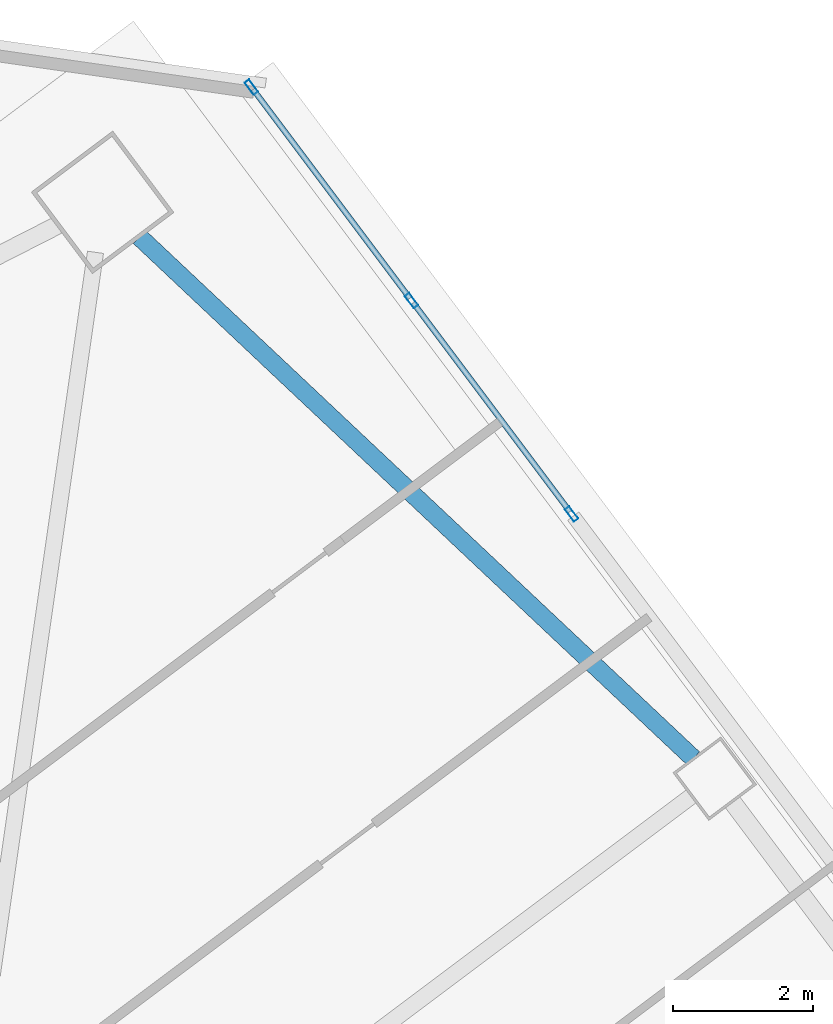
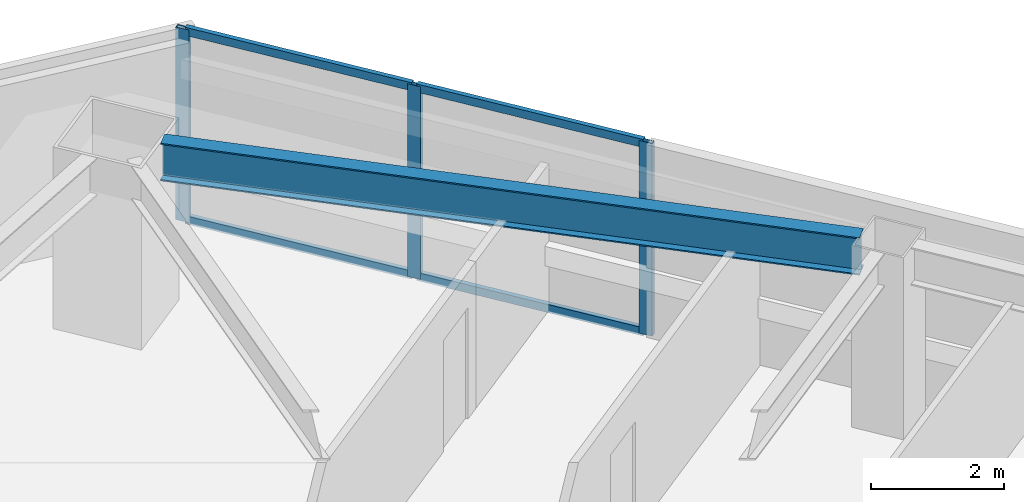
# One storey, part 30 of 44: 7 members, 1 beam, 1 element without a shape of its own.
"""IFC4 building model written with IfcOpenShell, lengths in metres."""

from ifc_helpers import new_model, si_unit, direction, frame, origin, origin_2d, place, context, subcontext, project, spatial, hollow_rectangle, i_section, extrude, material, material_profile, profile_set, type_object, element, aggregate, save


model = new_model("IFC4")

# Units and contexts
model_context = context("Model", 3, precision=1e-05, world=origin(), true_north=direction((0.0, 1.0)))
body_context = subcontext(model_context, "Body", "Model", "MODEL_VIEW")
ifc_project = project(units=[si_unit("LENGTHUNIT", "METRE"), si_unit("AREAUNIT", "SQUARE_METRE"), si_unit("VOLUMEUNIT", "CUBIC_METRE"), si_unit("PLANEANGLEUNIT", "RADIAN"), si_unit("MASSUNIT", "GRAM", prefix="KILO")], contexts=[model_context])

# Site, building, storey
site_placement = place(None, origin())
site = spatial("IfcSite", under=ifc_project, at=site_placement, CompositionType="ELEMENT")
building_placement = place(site_placement, origin())
building = spatial("IfcBuilding", under=site, at=building_placement, Name="Tashvorn Skyway Center", CompositionType="ELEMENT")
storey_placement = place(building_placement, frame((0.0, 0.0, 95.60009765625)))
storey = spatial("IfcBuildingStorey", under=building, at=storey_placement, Name="L25", CompositionType="ELEMENT", Elevation=95.60009765625)

# Beam
ifc_material_1 = material(Name="Steel ASTM A992 Grade 50", Category="steel")
ifc_material_profile_1 = material_profile(ifc_material_1, i_section(OverallWidth=0.256103515625, OverallDepth=0.693115234375, WebThickness=0.014404296875, FlangeThickness=0.023681640625, at=origin_2d()), Name="W27X114")
ifc_profile_set_1 = profile_set([ifc_material_profile_1], Name="Steel ASTM A992 Grade 50")
beam_type = type_object("IfcBeamType", Name="BM-SPANDREL-W27X114", PredefinedType="SPANDREL", material=ifc_profile_set_1)
beam_placement = place(storey_placement, frame((125.854248046875, 48.157958984375, 3.00341796875), z_axis=(-0.728086883893, 0.685484857238, 0.0), x_axis=(-0.685484857238, -0.728086883893, 0.0)))
element("IfcBeam", 1, at=beam_placement, inside=storey, type_object=beam_type, Name="Tower 2 L25 Spandrel Beam 06", PredefinedType="SPANDREL", context=body_context, shape_type="SweptSolid", body=[
    extrude(i_section(OverallWidth=0.256103515625, OverallDepth=0.693115234375, WebThickness=0.014404296875, FlangeThickness=0.023681640625, at=origin_2d()), origin(), (0.0, 0.0, 1.0), 10.8369140625),
])

# Curtain wall, members
ifc_material_2 = material(Name="Thermally broken bronze-anodized aluminium 6063-T6", Category="aluminium")
curtain_wall_type = type_object("IfcCurtainWallType", Name="CW-CW-Z2", PredefinedType="NOTDEFINED", material=ifc_material_2)
curtain_wall_placement = place(storey_placement, origin())
curtain_wall = element("IfcCurtainWall", 2, at=curtain_wall_placement, inside=storey, type_object=curtain_wall_type, Name="Tower 2 L25 East Unitised Curtain Wall Glazing Group 1", PredefinedType="NOTDEFINED")
ifc_material_profile_2 = material_profile(ifc_material_2, hollow_rectangle(XDim=0.080078125, YDim=0.219970703125, WallThickness=0.0048828125, at=origin_2d()), Name="ALU-MULL-80x220")
ifc_profile_set_2 = profile_set([ifc_material_profile_2], Name="Thermally broken bronze-anodized aluminium 6063-T6")
member_type_1 = type_object("IfcMemberType", Name="CWM-CW-Z2", PredefinedType="MULLION", material=ifc_profile_set_2)
member_1_placement = place(storey_placement, frame((119.56005859375, 57.719970703125, 0.0), z_axis=(0.0, 0.0, 1.0), x_axis=(0.799999999998, 0.600000000002, 0.0)))
member_1 = element("IfcMember", 3, at=member_1_placement, type_object=member_type_1, Name="CW-Z2 mullion 1", PredefinedType="MULLION", context=body_context, shape_type="SweptSolid", body=[
    extrude(hollow_rectangle(XDim=0.080078125, YDim=0.219970703125, WallThickness=0.0048828125, at=origin_2d()), origin(), (0.0, 0.0, 1.0), 3.5498046875),
])
member_2_placement = place(storey_placement, frame((121.840087890625, 54.679931640625, 0.0), z_axis=(0.0, 0.0, 1.0), x_axis=(0.799999999998, 0.600000000002, 0.0)))
member_2 = element("IfcMember", 4, at=member_2_placement, type_object=member_type_1, Name="CW-Z2 mullion 2", PredefinedType="MULLION", context=body_context, shape_type="SweptSolid", body=[
    extrude(hollow_rectangle(XDim=0.080078125, YDim=0.219970703125, WallThickness=0.0048828125, at=origin_2d()), origin(), (0.0, 0.0, 1.0), 3.5498046875),
])
member_3_placement = place(storey_placement, frame((124.1201171875, 51.639892578125, 0.0), z_axis=(0.0, 0.0, 1.0), x_axis=(0.799999999998, 0.600000000002, 0.0)))
member_3 = element("IfcMember", 5, at=member_3_placement, type_object=member_type_1, Name="CW-Z2 mullion 3", PredefinedType="MULLION", context=body_context, shape_type="SweptSolid", body=[
    extrude(hollow_rectangle(XDim=0.080078125, YDim=0.219970703125, WallThickness=0.0048828125, at=origin_2d()), origin(), (0.0, 0.0, 1.0), 3.5498046875),
])
ifc_material_profile_3 = material_profile(ifc_material_2, hollow_rectangle(XDim=0.080078125, YDim=0.14990234375, WallThickness=0.00439453125, at=origin_2d()), Name="ALU-TRAN-80x150")
ifc_profile_set_3 = profile_set([ifc_material_profile_3], Name="Thermally broken bronze-anodized aluminium 6063-T6")
member_type_2 = type_object("IfcMemberType", Name="CWT-CW-Z2", PredefinedType="USERDEFINED", material=ifc_profile_set_3)
member_4_placement = place(storey_placement, frame((119.583984375, 57.68798828125, 0.039794921875), z_axis=(0.599978998559, -0.80001575065, 0.0), x_axis=(0.80001575065, 0.599978998559, 0.0)))
member_4 = element("IfcMember", 6, at=member_4_placement, type_object=member_type_2, Name="CW-Z2 transom 1.1", ObjectType="TRANSOM", PredefinedType="USERDEFINED", context=body_context, shape_type="SweptSolid", body=[
    extrude(hollow_rectangle(XDim=0.080078125, YDim=0.14990234375, WallThickness=0.00439453125, at=origin_2d()), origin(), (0.0, 0.0, 1.0), 3.719970703125),
])
member_5_placement = place(storey_placement, frame((119.583984375, 57.68798828125, 3.510009765625), z_axis=(0.599978998559, -0.80001575065, 0.0), x_axis=(0.80001575065, 0.599978998559, 0.0)))
member_5 = element("IfcMember", 7, at=member_5_placement, type_object=member_type_2, Name="CW-Z2 transom 1.2", ObjectType="TRANSOM", PredefinedType="USERDEFINED", context=body_context, shape_type="SweptSolid", body=[
    extrude(hollow_rectangle(XDim=0.080078125, YDim=0.14990234375, WallThickness=0.00439453125, at=origin_2d()), origin(), (0.0, 0.0, 1.0), 3.719970703125),
])
member_6_placement = place(storey_placement, frame((121.864013671875, 54.64794921875, 0.039794921875), z_axis=(0.600010501117, -0.799992124055, 0.0), x_axis=(0.799992124055, 0.600010501117, 0.0)))
member_6 = element("IfcMember", 8, at=member_6_placement, type_object=member_type_2, Name="CW-Z2 transom 2.1", ObjectType="TRANSOM", PredefinedType="USERDEFINED", context=body_context, shape_type="SweptSolid", body=[
    extrude(hollow_rectangle(XDim=0.080078125, YDim=0.14990234375, WallThickness=0.00439453125, at=origin_2d()), origin(), (0.0, 0.0, 1.0), 3.7197265625),
])
member_7_placement = place(storey_placement, frame((121.864013671875, 54.64794921875, 3.510009765625), z_axis=(0.600010501117, -0.799992124055, 0.0), x_axis=(0.799992124055, 0.600010501117, 0.0)))
member_7 = element("IfcMember", 9, at=member_7_placement, type_object=member_type_2, Name="CW-Z2 transom 2.2", ObjectType="TRANSOM", PredefinedType="USERDEFINED", context=body_context, shape_type="SweptSolid", body=[
    extrude(hollow_rectangle(XDim=0.080078125, YDim=0.14990234375, WallThickness=0.00439453125, at=origin_2d()), origin(), (0.0, 0.0, 1.0), 3.7197265625),
])
aggregate(curtain_wall, [member_1, member_2, member_3, member_4, member_5, member_6, member_7])

save(model, "model.ifc")
